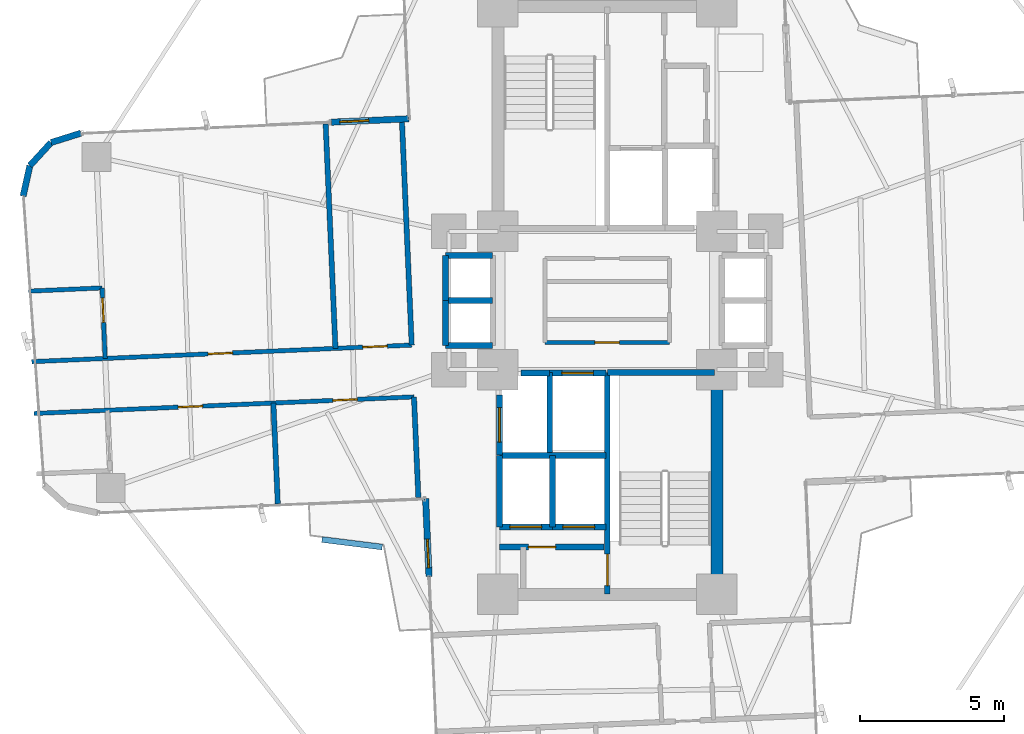
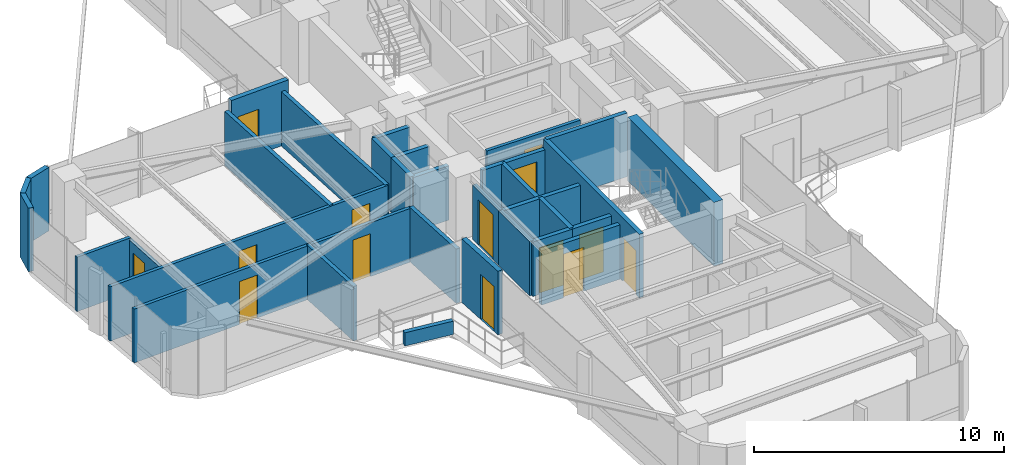
# One storey, part 23 of 26: 33 walls, 14 doors, 14 openings.
"""IFC4 building model written with IfcOpenShell, lengths in metres."""

from ifc_helpers import new_model, si_unit, direction, frame, frame_2d, origin, origin_2d, place, context, subcontext, project, spatial, rectangle, extrude, source, transform, mapped, material, layer, layer_set, type_object, element, fill, save


model = new_model("IFC4")

# Units and contexts
model_context = context("Model", 3, precision=1e-05, world=origin(), true_north=direction((0.0, 1.0)))
body_context = subcontext(model_context, "Body", "Model", "MODEL_VIEW")
ifc_project = project(units=[si_unit("LENGTHUNIT", "METRE"), si_unit("AREAUNIT", "SQUARE_METRE"), si_unit("VOLUMEUNIT", "CUBIC_METRE"), si_unit("PLANEANGLEUNIT", "RADIAN"), si_unit("MASSUNIT", "GRAM", prefix="KILO")], contexts=[model_context])

# Site, building, storey
site_placement = place(None, origin())
site = spatial("IfcSite", under=ifc_project, at=site_placement, CompositionType="ELEMENT")
building_placement = place(site_placement, origin())
building = spatial("IfcBuilding", under=site, at=building_placement, Name="Sahyath Konkavel Grand Hotel", CompositionType="ELEMENT")
storey_placement = place(building_placement, frame((0.0, 0.0, 100.25)))
storey = spatial("IfcBuildingStorey", under=building, at=storey_placement, Name="L27", CompositionType="ELEMENT", Elevation=100.25)

# Wall
ifc_material_1 = material(Name="Concrete C50/60", Category="concrete")
ifc_layer_1 = layer(ifc_material_1, 0.419921875)
ifc_layer_set_1 = layer_set([ifc_layer_1], Name="Concrete C50/60")
wall_type_1 = type_object("IfcWallType", Name="CWALL-420", PredefinedType="SHEAR", material=ifc_layer_set_1)
wall_1_placement = place(storey_placement, frame((3.800048828125, -9.75, 0.0), z_axis=(0.0, 0.0, 1.0), x_axis=(0.0, 1.0, 0.0)))
element("IfcWall", 1, at=wall_1_placement, inside=storey, type_object=wall_type_1, Name="L27 South Core Shear Wall E", PredefinedType="SHEAR", context=body_context, shape_type="SweptSolid", body=[
    extrude(rectangle(XDim=6.89990234375, YDim=0.419921875, at=frame_2d((3.449951171875, 0.0))), origin(), (0.0, 0.0, 1.0), 3.110107421875),
])

# Wall, opening, door
ifc_material_2 = material(Name="Warm Buff Sandstone Insulated Concrete C40/50", Category="masonry")
ifc_layer_2 = layer(ifc_material_2, 0.219970703125)
ifc_layer_set_2 = layer_set([ifc_layer_2], Name="Warm Buff Sandstone Insulated Concrete C40/50")
wall_type_2 = type_object("IfcWallType", Name="WLL-BALC-THRESH", PredefinedType="STANDARD", material=ifc_layer_set_2)
wall_2_placement = place(storey_placement, frame((-6.881591796875, 6.305908203125, 0.0), z_axis=(0.0, 0.0, 1.0), x_axis=(-0.999045894436, -0.043672655174, 0.0)))
wall_2 = element("IfcWall", 2, at=wall_2_placement, inside=storey, type_object=wall_type_2, Name="L27 Winter-Garden Threshold Wall 16", PredefinedType="STANDARD", context=body_context, shape_type="SweptSolid", body=[
    extrude(rectangle(XDim=2.7001953125, YDim=0.219970703125, at=frame_2d((1.35009765625, 0.0))), origin(), (0.0, 0.0, 1.0), 3.110107421875),
])
opening_1_placement = place(wall_2_placement, frame((1.39990234375, 0.0, 0.0)))
opening_1 = element("IfcOpeningElement", 3, at=opening_1_placement, cuts=wall_2, Name="Opening D-TR1", PredefinedType="OPENING", context=body_context, shape_type="SweptSolid", body=[
    extrude(rectangle(XDim=1.0, YDim=2.199951171875, at=frame_2d((0.5, 1.10009765625))), frame((0.0, 0.1201171875, 0.0), z_axis=(0.0, -1.0, 0.0), x_axis=(1.0, 0.0, 0.0)), (0.0, 0.0, 1.0), 0.239990234375),
])
ifc_material_3 = material(Name="Anodised Bronze Aluminium & Low-E Glazing", Category="aluminium")
door_type_1 = type_object("IfcDoorType", Name="DR-TERRACE-1000", OperationType="NOTDEFINED", PredefinedType="DOOR", material=ifc_material_3)
shared_shape_1 = source(origin(), body_context, "Body", "SweptSolid", [
    extrude(rectangle(XDim=1.0, YDim=0.050048828125, at=origin_2d()), origin(), (0.0, 0.0, 1.0), 2.199951171875),
])
door_1_placement = place(opening_1_placement, frame((0.5, 0.0, 0.0)))
door_1 = element("IfcDoor", 4, at=door_1_placement, inside=storey, type_object=door_type_1, Name="L27 Winter-Garden Terrace Door 16", OperationType="SINGLE_SWING_LEFT", OverallHeight=2.199951171875, OverallWidth=1.0, PredefinedType="DOOR", context=body_context, shape_type="MappedRepresentation", body=[
    mapped(shared_shape_1, transform((0.0, 0.0, 0.0), scale=1.0)),
])
fill(opening_1, door_1)

# Walls
for number, where, z_axis, x_axis, name in (
    (5, (-18.270751953125, 5.80859375, 0.0), (0.0, 0.0, 1.0), (-0.953721713582, -0.30069069331, 0.0), "L27 Rounded Corner Sandstone Pier 17"),
    (6, (-19.3076171875, 5.481689453125, 0.0), (0.0, 0.0, 1.0), (-0.675551721847, -0.737312600672, 0.0), "L27 Rounded Corner Sandstone Pier 18"),
):
    element("IfcWall", number, at=place(storey_placement, frame(where, z_axis=z_axis, x_axis=x_axis)), inside=storey, type_object=wall_type_2, Name=name, PredefinedType="STANDARD", context=body_context, shape_type="SweptSolid", body=[
        extrude(rectangle(XDim=1.087158203125, YDim=0.219970703125, at=frame_2d((0.54345703125, 0.0))), origin(), (0.0, 0.0, 1.0), 3.110107421875),
    ])
wall_3_placement = place(storey_placement, frame((-20.0419921875, 4.68017578125, 0.0), z_axis=(0.0, 0.0, 1.0), x_axis=(-0.216288323511, -0.976329535102, 0.0)))
element("IfcWall", 7, at=wall_3_placement, inside=storey, type_object=wall_type_2, Name="L27 Rounded Corner Sandstone Pier 19", PredefinedType="STANDARD", context=body_context, shape_type="SweptSolid", body=[
    extrude(rectangle(XDim=1.0869140625, YDim=0.219970703125, at=frame_2d((0.54345703125, 0.0))), origin(), (0.0, 0.0, 1.0), 3.110107421875),
])

# Wall, opening, door
wall_4_placement = place(storey_placement, frame((-6.305908203125, -6.881591796875, 0.0), z_axis=(0.0, 0.0, 1.0), x_axis=(0.043672655174, -0.999045894436, 0.0)))
wall_4 = element("IfcWall", 8, at=wall_4_placement, inside=storey, type_object=wall_type_2, Name="L27 Winter-Garden Threshold Wall 24", PredefinedType="STANDARD", context=body_context, shape_type="SweptSolid", body=[
    extrude(rectangle(XDim=2.7001953125, YDim=0.219970703125, at=frame_2d((1.35009765625, 0.0))), origin(), (0.0, 0.0, 1.0), 3.110107421875),
])
opening_2_placement = place(wall_4_placement, frame((1.39990234375, 0.0, 0.0)))
opening_2 = element("IfcOpeningElement", 9, at=opening_2_placement, cuts=wall_4, Name="Opening D-TR1", PredefinedType="OPENING", context=body_context, shape_type="SweptSolid", body=[
    extrude(rectangle(XDim=1.0, YDim=2.199951171875, at=frame_2d((0.5, 1.10009765625))), frame((0.0, 0.1201171875, 0.0), z_axis=(0.0, -1.0, 0.0), x_axis=(1.0, 0.0, 0.0)), (0.0, 0.0, 1.0), 0.239990234375),
])
door_2_placement = place(opening_2_placement, frame((0.5, 0.0, 0.0)))
door_2 = element("IfcDoor", 10, at=door_2_placement, inside=storey, type_object=door_type_1, Name="L27 Winter-Garden Terrace Door 24", OperationType="SINGLE_SWING_LEFT", OverallHeight=2.199951171875, OverallWidth=1.0, PredefinedType="DOOR", context=body_context, shape_type="MappedRepresentation", body=[
    mapped(shared_shape_1, transform((0.0, 0.0, 0.0), scale=1.0)),
])
fill(opening_2, door_2)

ifc_material_4 = material(Name="Concrete C40/50", Category="concrete")
ifc_layer_3 = layer(ifc_material_4, 0.199951171875)
ifc_layer_set_3 = layer_set([ifc_layer_3], Name="Concrete C40/50")
wall_type_3 = type_object("IfcWallType", Name="WLL-CORE-200", PredefinedType="SOLIDWALL", material=ifc_layer_set_3)
wall_5_placement = place(storey_placement, frame((0.0, -10.179931640625, 0.0), z_axis=(0.0, 0.0, 1.0), x_axis=(0.0, 1.0, 0.0)))
wall_5 = element("IfcWall", 11, at=wall_5_placement, inside=storey, type_object=wall_type_3, Name="L27 Stair ST-2 Shaft Wall W", PredefinedType="SOLIDWALL", context=body_context, shape_type="SweptSolid", body=[
    extrude(rectangle(XDim=7.679931640625, YDim=0.199951171875, at=frame_2d((3.83984375, 0.0))), origin(), (0.0, 0.0, 1.0), 3.110107421875),
])
opening_3_placement = place(wall_5_placement, frame((0.280029296875, 0.0, 0.0)))
opening_3 = element("IfcOpeningElement", 12, at=opening_3_placement, cuts=wall_5, Name="Opening D-F12B", PredefinedType="OPENING", context=body_context, shape_type="SweptSolid", body=[
    extrude(rectangle(XDim=1.10009765625, YDim=2.14990234375, at=frame_2d((0.550048828125, 1.074951171875))), frame((0.0, 0.10986328125, 0.0), z_axis=(0.0, -1.0, 0.0), x_axis=(1.0, 0.0, 0.0)), (0.0, 0.0, 1.0), 0.219970703125),
])
ifc_material_5 = material(Name="Steel E350 Smokeproof Fire Door", Category="steel")
door_type_2 = type_object("IfcDoorType", Name="DR-FD120-1100", OperationType="NOTDEFINED", PredefinedType="DOOR", material=ifc_material_5)
shared_shape_2 = source(origin(), body_context, "Body", "SweptSolid", [
    extrude(rectangle(XDim=1.10009765625, YDim=0.050048828125, at=origin_2d()), origin(), (0.0, 0.0, 1.0), 2.14990234375),
])
door_3_placement = place(opening_3_placement, frame((0.550048828125, 0.0, 0.0)))
door_3 = element("IfcDoor", 13, at=door_3_placement, inside=storey, type_object=door_type_2, Name="L27 Stair ST-2 Fire Door", OperationType="SINGLE_SWING_RIGHT", OverallHeight=2.14990234375, OverallWidth=1.10009765625, PredefinedType="DOOR", context=body_context, shape_type="MappedRepresentation", body=[
    mapped(shared_shape_2, transform((0.0, 0.0, 0.0), scale=1.0)),
])
fill(opening_3, door_3)

# Walls
wall_6_placement = place(storey_placement, frame((0.0, -2.5, 0.0), z_axis=(0.0, 0.0, 1.0), x_axis=(1.0, 0.0, 0.0)))
element("IfcWall", 14, at=wall_6_placement, inside=storey, type_object=wall_type_3, Name="L27 Stair ST-2 Shaft Wall N", PredefinedType="SOLIDWALL", context=body_context, shape_type="SweptSolid", body=[
    extrude(rectangle(XDim=3.719970703125, YDim=0.199951171875, at=frame_2d((1.85986328125, 0.0))), origin(), (0.0, 0.0, 1.0), 3.110107421875),
])
wall_7_placement = place(storey_placement, frame((-2.0, -5.280029296875, 0.0), z_axis=(0.0, 0.0, 1.0), x_axis=(0.0, 1.0, 0.0)))
element("IfcWall", 15, at=wall_7_placement, inside=storey, type_object=wall_type_3, Name="L27 Partition SH-FFL2-W", PredefinedType="SOLIDWALL", context=body_context, shape_type="SweptSolid", body=[
    extrude(rectangle(XDim=2.780029296875, YDim=0.199951171875, at=frame_2d((1.39013671875, 0.0))), origin(), (0.0, 0.0, 1.0), 2.659912109375),
])

# Wall, opening, door
wall_8_placement = place(storey_placement, frame((-2.0, -2.52001953125, 0.0), z_axis=(0.0, 0.0, 1.0), x_axis=(1.0, 0.0, 0.0)))
wall_8 = element("IfcWall", 16, at=wall_8_placement, inside=storey, type_object=wall_type_3, Name="L27 Partition SH-FFL2-N", PredefinedType="SOLIDWALL", context=body_context, shape_type="SweptSolid", body=[
    extrude(rectangle(XDim=1.949951171875, YDim=0.199951171875, at=frame_2d((0.97509765625, 0.0))), origin(), (0.0, 0.0, 1.0), 2.659912109375),
])
opening_4_placement = place(wall_8_placement, frame((0.419921875, 0.0, 0.0)))
opening_4 = element("IfcOpeningElement", 17, at=opening_4_placement, cuts=wall_8, Name="Opening LD-11", PredefinedType="OPENING", context=body_context, shape_type="SweptSolid", body=[
    extrude(rectangle(XDim=1.10009765625, YDim=2.199951171875, at=frame_2d((0.550048828125, 1.10009765625))), frame((0.0, 0.10986328125, 0.0), z_axis=(0.0, -1.0, 0.0), x_axis=(1.0, 0.0, 0.0)), (0.0, 0.0, 1.0), 0.219970703125),
])
ifc_material_6 = material(Name="Bronze Lift Landing Door 1100")
door_type_3 = type_object("IfcDoorType", Name="DR-LIFT-1100", OperationType="DOUBLE_DOOR_SLIDING", PredefinedType="DOOR", material=ifc_material_6)
shared_shape_3 = source(origin(), body_context, "Body", "SweptSolid", [
    extrude(rectangle(XDim=1.10009765625, YDim=0.050048828125, at=origin_2d()), origin(), (0.0, 0.0, 1.0), 2.199951171875),
])
door_4_placement = place(opening_4_placement, frame((0.550048828125, 0.0, 0.0)))
door_4 = element("IfcDoor", 18, at=door_4_placement, inside=storey, type_object=door_type_3, Name="L27 Lift FFL-2 Landing Door", OperationType="DOUBLE_DOOR_SLIDING", OverallHeight=2.199951171875, OverallWidth=1.10009765625, PredefinedType="DOOR", context=body_context, shape_type="MappedRepresentation", body=[
    mapped(shared_shape_3, transform((0.0, 0.0, 0.0), scale=1.0)),
])
fill(opening_4, door_4)

# Wall
wall_9_placement = place(storey_placement, frame((-3.0, -2.52001953125, 0.0), z_axis=(0.0, 0.0, 1.0), x_axis=(1.0, 0.0, 0.0)))
element("IfcWall", 19, at=wall_9_placement, inside=storey, type_object=wall_type_3, Name="L27 Partition SH-SVL2-N", PredefinedType="SOLIDWALL", context=body_context, shape_type="SweptSolid", body=[
    extrude(rectangle(XDim=1.0, YDim=0.199951171875, at=frame_2d((0.5, 0.0))), origin(), (0.0, 0.0, 1.0), 2.659912109375),
])

# Wall, opening, door
wall_10_placement = place(storey_placement, frame((-3.739990234375, -5.360107421875, 0.0), z_axis=(0.0, 0.0, 1.0), x_axis=(0.0, 1.0, 0.0)))
wall_10 = element("IfcWall", 20, at=wall_10_placement, inside=storey, type_object=wall_type_3, Name="L27 Partition SH-SVL2-W", PredefinedType="SOLIDWALL", context=body_context, shape_type="SweptSolid", body=[
    extrude(rectangle(XDim=2.080078125, YDim=0.199951171875, at=frame_2d((1.0400390625, 0.0))), origin(), (0.0, 0.0, 1.0), 2.659912109375),
])
opening_5_placement = place(wall_10_placement, frame((0.43994140625, 0.0, 0.0)))
opening_5 = element("IfcOpeningElement", 21, at=opening_5_placement, cuts=wall_10, Name="Opening LD-12", PredefinedType="OPENING", context=body_context, shape_type="SweptSolid", body=[
    extrude(rectangle(XDim=1.199951171875, YDim=2.199951171875, at=frame_2d((0.60009765625, 1.10009765625))), frame((0.0, 0.10986328125, 0.0), z_axis=(0.0, -1.0, 0.0), x_axis=(1.0, 0.0, 0.0)), (0.0, 0.0, 1.0), 0.219970703125),
])
ifc_material_7 = material(Name="Stainless Steel Lift Landing Door 1200", Category="steel")
door_type_4 = type_object("IfcDoorType", Name="DR-LIFT-1200", OperationType="DOUBLE_DOOR_SLIDING", PredefinedType="DOOR", material=ifc_material_7)
shared_shape_4 = source(origin(), body_context, "Body", "SweptSolid", [
    extrude(rectangle(XDim=1.199951171875, YDim=0.050048828125, at=origin_2d()), origin(), (0.0, 0.0, 1.0), 2.199951171875),
])
door_5_placement = place(opening_5_placement, frame((0.60009765625, 0.0, 0.0)))
door_5 = element("IfcDoor", 22, at=door_5_placement, inside=storey, type_object=door_type_4, Name="L27 Service Lift SVL-2 Landing Door", OperationType="DOUBLE_DOOR_SLIDING", OverallHeight=2.199951171875, OverallWidth=1.199951171875, PredefinedType="DOOR", context=body_context, shape_type="MappedRepresentation", body=[
    mapped(shared_shape_4, transform((0.0, 0.0, 0.0), scale=1.0)),
])
fill(opening_5, door_5)

# Wall
wall_11_placement = place(storey_placement, frame((-3.739990234375, -7.860107421875, 0.0), z_axis=(0.0, 0.0, 1.0), x_axis=(0.0, 1.0, 0.0)))
element("IfcWall", 23, at=wall_11_placement, inside=storey, type_object=wall_type_3, Name="L27 Partition SH-PL3-W", PredefinedType="SOLIDWALL", context=body_context, shape_type="SweptSolid", body=[
    extrude(rectangle(XDim=2.480224609375, YDim=0.199951171875, at=frame_2d((1.240234375, 0.0))), origin(), (0.0, 0.0, 1.0), 2.659912109375),
])

# Wall, opening, door
wall_12_placement = place(storey_placement, frame((-3.739990234375, -7.860107421875, 0.0), z_axis=(0.0, 0.0, 1.0), x_axis=(1.0, 0.0, 0.0)))
wall_12 = element("IfcWall", 24, at=wall_12_placement, inside=storey, type_object=wall_type_3, Name="L27 Partition SH-PL3-S", PredefinedType="SOLIDWALL", context=body_context, shape_type="SweptSolid", body=[
    extrude(rectangle(XDim=1.840087890625, YDim=0.199951171875, at=frame_2d((0.919921875, 0.0))), origin(), (0.0, 0.0, 1.0), 2.659912109375),
])
opening_6_placement = place(wall_12_placement, frame((0.360107421875, 0.0, 0.0)))
opening_6 = element("IfcOpeningElement", 25, at=opening_6_placement, cuts=wall_12, Name="Opening LD-11", PredefinedType="OPENING", context=body_context, shape_type="SweptSolid", body=[
    extrude(rectangle(XDim=1.10009765625, YDim=2.199951171875, at=frame_2d((0.550048828125, 1.10009765625))), frame((0.0, 0.10986328125, 0.0), z_axis=(0.0, -1.0, 0.0), x_axis=(1.0, 0.0, 0.0)), (0.0, 0.0, 1.0), 0.219970703125),
])
door_6_placement = place(opening_6_placement, frame((0.550048828125, 0.0, 0.0)))
door_6 = element("IfcDoor", 26, at=door_6_placement, inside=storey, type_object=door_type_3, Name="L27 Passenger Lift PL-3 Landing Door", OperationType="DOUBLE_DOOR_SLIDING", OverallHeight=2.199951171875, OverallWidth=1.10009765625, PredefinedType="DOOR", context=body_context, shape_type="MappedRepresentation", body=[
    mapped(shared_shape_3, transform((0.0, 0.0, 0.0), scale=1.0)),
])
fill(opening_6, door_6)

# Walls
wall_13_placement = place(storey_placement, frame((-3.739990234375, -5.3798828125, 0.0), z_axis=(0.0, 0.0, 1.0), x_axis=(1.0, 0.0, 0.0)))
element("IfcWall", 27, at=wall_13_placement, inside=storey, type_object=wall_type_3, Name="L27 Partition SH-PL34-N", PredefinedType="SOLIDWALL", context=body_context, shape_type="SweptSolid", body=[
    extrude(rectangle(XDim=3.68994140625, YDim=0.199951171875, at=frame_2d((1.844970703125, 0.0))), origin(), (0.0, 0.0, 1.0), 2.659912109375),
])
wall_14_placement = place(storey_placement, frame((-1.89990234375, -7.860107421875, 0.0), z_axis=(0.0, 0.0, 1.0), x_axis=(0.0, 1.0, 0.0)))
element("IfcWall", 28, at=wall_14_placement, inside=storey, type_object=wall_type_3, Name="L27 Partition SH-PL34-M", PredefinedType="SOLIDWALL", context=body_context, shape_type="SweptSolid", body=[
    extrude(rectangle(XDim=2.480224609375, YDim=0.199951171875, at=frame_2d((1.240234375, 0.0))), origin(), (0.0, 0.0, 1.0), 2.659912109375),
])

# Wall, opening, door
wall_15_placement = place(storey_placement, frame((-1.89990234375, -7.860107421875, 0.0), z_axis=(0.0, 0.0, 1.0), x_axis=(1.0, 0.0, 0.0)))
wall_15 = element("IfcWall", 29, at=wall_15_placement, inside=storey, type_object=wall_type_3, Name="L27 Partition SH-PL4-S", PredefinedType="SOLIDWALL", context=body_context, shape_type="SweptSolid", body=[
    extrude(rectangle(XDim=1.849853515625, YDim=0.199951171875, at=frame_2d((0.9248046875, 0.0))), origin(), (0.0, 0.0, 1.0), 2.659912109375),
])
opening_7_placement = place(wall_15_placement, frame((0.360107421875, 0.0, 0.0)))
opening_7 = element("IfcOpeningElement", 30, at=opening_7_placement, cuts=wall_15, Name="Opening LD-11", PredefinedType="OPENING", context=body_context, shape_type="SweptSolid", body=[
    extrude(rectangle(XDim=1.10009765625, YDim=2.199951171875, at=frame_2d((0.550048828125, 1.10009765625))), frame((0.0, 0.10986328125, 0.0), z_axis=(0.0, -1.0, 0.0), x_axis=(1.0, 0.0, 0.0)), (0.0, 0.0, 1.0), 0.219970703125),
])
door_7_placement = place(opening_7_placement, frame((0.550048828125, 0.0, 0.0)))
door_7 = element("IfcDoor", 31, at=door_7_placement, inside=storey, type_object=door_type_3, Name="L27 Passenger Lift PL-4 Landing Door", OperationType="DOUBLE_DOOR_SLIDING", OverallHeight=2.199951171875, OverallWidth=1.10009765625, PredefinedType="DOOR", context=body_context, shape_type="MappedRepresentation", body=[
    mapped(shared_shape_3, transform((0.0, 0.0, 0.0), scale=1.0)),
])
fill(opening_7, door_7)

# Walls
for number, where, z_axis, x_axis, name in (
    (32, (-5.6201171875, 1.56005859375, 0.0), (0.0, 0.0, 1.0), (1.0, 0.0, 0.0), "L27 Partition SH-SL12-N"),
    (33, (-5.6201171875, -1.56005859375, 0.0), (0.0, 0.0, 1.0), (1.0, 0.0, 0.0), "L27 Partition SH-SL12-S"),
    (34, (-5.6201171875, 0.0, 0.0), (0.0, 0.0, 1.0), (1.0, 0.0, 0.0), "L27 Partition SH-SL12-M"),
):
    element("IfcWall", number, at=place(storey_placement, frame(where, z_axis=z_axis, x_axis=x_axis)), inside=storey, type_object=wall_type_3, Name=name, PredefinedType="SOLIDWALL", context=body_context, shape_type="SweptSolid", body=[
        extrude(rectangle(XDim=1.64013671875, YDim=0.199951171875, at=frame_2d((0.820068359375, 0.0))), origin(), (0.0, 0.0, 1.0), 2.659912109375),
    ])
for number, where, z_axis, x_axis, name in (
    (35, (-5.6201171875, 0.0, 0.0), (0.0, 0.0, 1.0), (0.0, 1.0, 0.0), "L27 Partition SH-SL1-W"),
    (36, (-5.6201171875, -1.56005859375, 0.0), (0.0, 0.0, 1.0), (0.0, 1.0, 0.0), "L27 Partition SH-SL2-W"),
):
    element("IfcWall", number, at=place(storey_placement, frame(where, z_axis=z_axis, x_axis=x_axis)), inside=storey, type_object=wall_type_3, Name=name, PredefinedType="SOLIDWALL", context=body_context, shape_type="SweptSolid", body=[
        extrude(rectangle(XDim=1.56005859375, YDim=0.199951171875, at=frame_2d((0.780029296875, 0.0))), origin(), (0.0, 0.0, 1.0), 2.659912109375),
    ])

# Wall, opening, door
wall_16_placement = place(storey_placement, frame((-3.739990234375, -8.56005859375, 0.0), z_axis=(0.0, 0.0, 1.0), x_axis=(1.0, 0.0, 0.0)))
wall_16 = element("IfcWall", 37, at=wall_16_placement, inside=storey, type_object=wall_type_3, Name="L27 South FF Lobby Separation Wall", PredefinedType="SOLIDWALL", context=body_context, shape_type="SweptSolid", body=[
    extrude(rectangle(XDim=3.619873046875, YDim=0.199951171875, at=frame_2d((1.81005859375, 0.0))), origin(), (0.0, 0.0, 1.0), 2.659912109375),
])
opening_8_placement = place(wall_16_placement, frame((1.0, 0.0, 0.0)))
opening_8 = element("IfcOpeningElement", 38, at=opening_8_placement, cuts=wall_16, Name="Opening D-F12C", PredefinedType="OPENING", context=body_context, shape_type="SweptSolid", body=[
    extrude(rectangle(XDim=0.949951171875, YDim=2.14990234375, at=frame_2d((0.47509765625, 1.074951171875))), frame((0.0, 0.10986328125, 0.0), z_axis=(0.0, -1.0, 0.0), x_axis=(1.0, 0.0, 0.0)), (0.0, 0.0, 1.0), 0.219970703125),
])
ifc_material_8 = material(Name="Steel E350 Plant Fire Door", Category="steel")
door_type_5 = type_object("IfcDoorType", Name="DR-FD120-950", OperationType="NOTDEFINED", PredefinedType="DOOR", material=ifc_material_8)
shared_shape_5 = source(origin(), body_context, "Body", "SweptSolid", [
    extrude(rectangle(XDim=0.949951171875, YDim=0.050048828125, at=origin_2d()), origin(), (0.0, 0.0, 1.0), 2.14990234375),
])
door_8_placement = place(opening_8_placement, frame((0.47509765625, 0.0, 0.0)))
door_8 = element("IfcDoor", 39, at=door_8_placement, inside=storey, type_object=door_type_5, Name="L27 South Firefighting Lobby Door", OperationType="SINGLE_SWING_LEFT", OverallHeight=2.14990234375, OverallWidth=0.949951171875, PredefinedType="DOOR", context=body_context, shape_type="MappedRepresentation", body=[
    mapped(shared_shape_5, transform((0.0, 0.0, 0.0), scale=1.0)),
])
fill(opening_8, door_8)

# Walls
ifc_material_9 = material(Name="Twin-Stud Acoustic Gypsum Plasterboard Partition")
ifc_layer_4 = layer(ifc_material_9, 0.179931640625)
ifc_layer_set_4 = layer_set([ifc_layer_4], Name="Twin-Stud Acoustic Gypsum Plasterboard Partition")
wall_type_4 = type_object("IfcWallType", Name="WLL-DEMISE-180", PredefinedType="PARTITIONING", material=ifc_layer_set_4)
wall_17_placement = place(storey_placement, frame((-6.71044921875, -3.345947265625, 0.0), z_axis=(0.0, 0.0, 1.0), x_axis=(0.043597663116, -0.999049169846, 0.0)))
element("IfcWall", 40, at=wall_17_placement, inside=storey, type_object=wall_type_4, Name="L27 Partition W-INL", PredefinedType="PARTITIONING", context=body_context, shape_type="SweptSolid", body=[
    extrude(rectangle(XDim=3.5, YDim=0.179931640625, at=frame_2d((1.75, 0.0))), origin(), (0.0, 0.0, 1.0), 2.659912109375),
])
wall_18_placement = place(storey_placement, frame((-7.129150390625, 6.2451171875, 0.0), z_axis=(0.0, 0.0, 1.0), x_axis=(0.043600217373, -0.999049058378, 0.0)))
element("IfcWall", 41, at=wall_18_placement, inside=storey, type_object=wall_type_4, Name="L27 Partition W-INR", PredefinedType="PARTITIONING", context=body_context, shape_type="SweptSolid", body=[
    extrude(rectangle(XDim=7.800048828125, YDim=0.179931640625, at=frame_2d((3.89990234375, 0.0))), origin(), (0.0, 0.0, 1.0), 2.659912109375),
])
wall_19_placement = place(storey_placement, frame((-11.58984375, -3.558837890625, 0.0), z_axis=(0.0, 0.0, 1.0), x_axis=(0.04366424353, -0.99904626211, 0.0)))
element("IfcWall", 42, at=wall_19_placement, inside=storey, type_object=wall_type_4, Name="L27 Partition W-W1L-DEM", PredefinedType="PARTITIONING", context=body_context, shape_type="SweptSolid", body=[
    extrude(rectangle(XDim=3.500244140625, YDim=0.179931640625, at=frame_2d((1.75, 0.0))), origin(), (0.0, 0.0, 1.0), 2.659912109375),
])
wall_20_placement = place(storey_placement, frame((-9.436279296875, -1.6630859375, 0.0), z_axis=(0.0, 0.0, 1.0), x_axis=(-0.043632821702, 0.999047634936, 0.0)))
element("IfcWall", 43, at=wall_20_placement, inside=storey, type_object=wall_type_4, Name="L27 Partition W-WHK-DEM", PredefinedType="PARTITIONING", context=body_context, shape_type="SweptSolid", body=[
    extrude(rectangle(XDim=7.7998046875, YDim=0.179931640625, at=frame_2d((3.89990234375, 0.0))), origin(), (0.0, 0.0, 1.0), 2.659912109375),
])

# Wall, opening, door
ifc_material_10 = material(Name="Fire-Rated Gypsum Plasterboard Partition")
ifc_layer_5 = layer(ifc_material_10, 0.14990234375)
ifc_layer_set_5 = layer_set([ifc_layer_5], Name="Fire-Rated Gypsum Plasterboard Partition")
wall_type_5 = type_object("IfcWallType", Name="WLL-PART-150", PredefinedType="PARTITIONING", material=ifc_layer_set_5)
wall_21_placement = place(storey_placement, frame((-2.159912109375, -1.4599609375, 0.0), z_axis=(0.0, 0.0, 1.0), x_axis=(1.0, 0.0, 0.0)))
wall_21 = element("IfcWall", 44, at=wall_21_placement, inside=storey, type_object=wall_type_5, Name="L27 Partition CC-2S", PredefinedType="PARTITIONING", context=body_context, shape_type="SweptSolid", body=[
    extrude(rectangle(XDim=4.31982421875, YDim=0.14990234375, at=frame_2d((2.159912109375, 0.0))), origin(), (0.0, 0.0, 1.0), 2.659912109375),
])
opening_9_placement = place(wall_21_placement, frame((1.72998046875, 0.0, 0.0)))
opening_9 = element("IfcOpeningElement", 45, at=opening_9_placement, cuts=wall_21, Name="Opening D-F06D", PredefinedType="OPENING", context=body_context, shape_type="SweptSolid", body=[
    extrude(rectangle(XDim=0.85009765625, YDim=2.10009765625, at=frame_2d((0.425048828125, 1.050048828125))), frame((0.0, 0.0849609375, 0.0), z_axis=(0.0, -1.0, 0.0), x_axis=(1.0, 0.0, 0.0)), (0.0, 0.0, 1.0), 0.169921875),
])
ifc_material_11 = material(Name="Fire-Rated Shaft Access Door")
door_type_6 = type_object("IfcDoorType", Name="DR-FD60-850", OperationType="NOTDEFINED", PredefinedType="DOOR", material=ifc_material_11)
shared_shape_6 = source(origin(), body_context, "Body", "SweptSolid", [
    extrude(rectangle(XDim=0.85009765625, YDim=0.050048828125, at=origin_2d()), origin(), (0.0, 0.0, 1.0), 2.10009765625),
])
door_9_placement = place(opening_9_placement, frame((0.425048828125, 0.0, 0.0)))
door_9 = element("IfcDoor", 46, at=door_9_placement, inside=storey, type_object=door_type_6, Name="L27 Door CC-D2C", OperationType="SINGLE_SWING_LEFT", OverallHeight=2.10009765625, OverallWidth=0.85009765625, PredefinedType="DOOR", context=body_context, shape_type="MappedRepresentation", body=[
    mapped(shared_shape_6, transform((0.0, 0.0, 0.0), scale=1.0)),
])
fill(opening_9, door_9)

# Wall, openings, doors
wall_22_placement = place(storey_placement, frame((-6.71044921875, -3.345947265625, 0.0), z_axis=(0.0, 0.0, 1.0), x_axis=(-0.999048535483, -0.04361219725, 0.0)))
wall_22 = element("IfcWall", 47, at=wall_22_placement, inside=storey, type_object=wall_type_5, Name="L27 Partition W-CL", PredefinedType="PARTITIONING", context=body_context, shape_type="SweptSolid", body=[
    extrude(rectangle(XDim=13.199951171875, YDim=0.14990234375, at=frame_2d((6.60009765625, 0.0))), origin(), (0.0, 0.0, 1.0), 2.6298828125),
])
opening_10_placement = place(wall_22_placement, frame((1.967041015625, 0.0, 0.0)))
opening_10 = element("IfcOpeningElement", 48, at=opening_10_placement, cuts=wall_22, Name="Opening D-F06D", PredefinedType="OPENING", context=body_context, shape_type="SweptSolid", body=[
    extrude(rectangle(XDim=0.85009765625, YDim=2.10009765625, at=frame_2d((0.425048828125, 1.050048828125))), frame((0.0, 0.0849609375, 0.0), z_axis=(0.0, -1.0, 0.0), x_axis=(1.0, 0.0, 0.0)), (0.0, 0.0, 1.0), 0.169921875),
])
opening_11_placement = place(wall_22_placement, frame((7.342041015625, 0.0, 0.0)))
opening_11 = element("IfcOpeningElement", 49, at=opening_11_placement, cuts=wall_22, Name="Opening D-F06D", PredefinedType="OPENING", context=body_context, shape_type="SweptSolid", body=[
    extrude(rectangle(XDim=0.85009765625, YDim=2.10009765625, at=frame_2d((0.425048828125, 1.050048828125))), frame((0.0, 0.0849609375, 0.0), z_axis=(0.0, -1.0, 0.0), x_axis=(1.0, 0.0, 0.0)), (0.0, 0.0, 1.0), 0.169921875),
])
door_10_placement = place(opening_10_placement, frame((0.425048828125, 0.0, 0.0)))
door_10 = element("IfcDoor", 50, at=door_10_placement, inside=storey, type_object=door_type_6, Name="L27 Door W-W1L-D", OperationType="SINGLE_SWING_RIGHT", OverallHeight=2.10009765625, OverallWidth=0.85009765625, PredefinedType="DOOR", context=body_context, shape_type="MappedRepresentation", body=[
    mapped(shared_shape_6, transform((0.0, 0.0, 0.0), scale=1.0)),
])
fill(opening_10, door_10)
door_11_placement = place(opening_11_placement, frame((0.425048828125, 0.0, 0.0)))
door_11 = element("IfcDoor", 51, at=door_11_placement, inside=storey, type_object=door_type_6, Name="L27 Door W-W2L-ED", OperationType="SINGLE_SWING_RIGHT", OverallHeight=2.10009765625, OverallWidth=0.85009765625, PredefinedType="DOOR", context=body_context, shape_type="MappedRepresentation", body=[
    mapped(shared_shape_6, transform((0.0, 0.0, 0.0), scale=1.0)),
])
fill(opening_11, door_11)

wall_23_placement = place(storey_placement, frame((-6.7890625, -1.547607421875, 0.0), z_axis=(0.0, 0.0, 1.0), x_axis=(-0.999048500303, -0.043613003123, 0.0)))
wall_23 = element("IfcWall", 52, at=wall_23_placement, inside=storey, type_object=wall_type_5, Name="L27 Partition W-CR", PredefinedType="PARTITIONING", context=body_context, shape_type="SweptSolid", body=[
    extrude(rectangle(XDim=13.19970703125, YDim=0.14990234375, at=frame_2d((6.599853515625, 0.0))), origin(), (0.0, 0.0, 1.0), 2.659912109375),
])
opening_12_placement = place(wall_23_placement, frame((0.85009765625, 0.0, 0.0)))
opening_12 = element("IfcOpeningElement", 53, at=opening_12_placement, cuts=wall_23, Name="Opening D-F06D", PredefinedType="OPENING", context=body_context, shape_type="SweptSolid", body=[
    extrude(rectangle(XDim=0.85009765625, YDim=2.10009765625, at=frame_2d((0.425048828125, 1.050048828125))), frame((0.0, 0.0849609375, 0.0), z_axis=(0.0, -1.0, 0.0), x_axis=(1.0, 0.0, 0.0)), (0.0, 0.0, 1.0), 0.169921875),
])
opening_13_placement = place(wall_23_placement, frame((6.22509765625, 0.0, 0.0)))
opening_13 = element("IfcOpeningElement", 54, at=opening_13_placement, cuts=wall_23, Name="Opening D-F06D", PredefinedType="OPENING", context=body_context, shape_type="SweptSolid", body=[
    extrude(rectangle(XDim=0.85009765625, YDim=2.10009765625, at=frame_2d((0.425048828125, 1.050048828125))), frame((0.0, 0.0849609375, 0.0), z_axis=(0.0, -1.0, 0.0), x_axis=(1.0, 0.0, 0.0)), (0.0, 0.0, 1.0), 0.169921875),
])
door_12_placement = place(opening_12_placement, frame((0.425048828125, 0.0, 0.0)))
door_12 = element("IfcDoor", 55, at=door_12_placement, inside=storey, type_object=door_type_6, Name="L27 Door W-WHK-D", OperationType="SINGLE_SWING_LEFT", OverallHeight=2.10009765625, OverallWidth=0.85009765625, PredefinedType="DOOR", context=body_context, shape_type="MappedRepresentation", body=[
    mapped(shared_shape_6, transform((0.0, 0.0, 0.0), scale=1.0)),
])
fill(opening_12, door_12)
door_13_placement = place(opening_13_placement, frame((0.425048828125, 0.0, 0.0)))
door_13 = element("IfcDoor", 56, at=door_13_placement, inside=storey, type_object=door_type_6, Name="L27 Door W-W2R-ED", OperationType="SINGLE_SWING_LEFT", OverallHeight=2.10009765625, OverallWidth=0.85009765625, PredefinedType="DOOR", context=body_context, shape_type="MappedRepresentation", body=[
    mapped(shared_shape_6, transform((0.0, 0.0, 0.0), scale=1.0)),
])
fill(opening_13, door_13)

# Wall, opening, door
wall_24_placement = place(storey_placement, frame((-17.4287109375, -2.01220703125, 0.0), z_axis=(0.0, 0.0, 1.0), x_axis=(-0.043644787072, 0.999047112283, 0.0)))
wall_24 = element("IfcWall", 57, at=wall_24_placement, inside=storey, type_object=wall_type_5, Name="L27 Partition W-W2R-BS", PredefinedType="PARTITIONING", context=body_context, shape_type="SweptSolid", body=[
    extrude(rectangle(XDim=2.4501953125, YDim=0.14990234375, at=frame_2d((1.22509765625, 0.0))), origin(), (0.0, 0.0, 1.0), 2.580078125),
])
opening_14_placement = place(wall_24_placement, frame((1.25, 0.0, 0.0)))
opening_14 = element("IfcOpeningElement", 58, at=opening_14_placement, cuts=wall_24, Name="Opening D-BT85", PredefinedType="OPENING", context=body_context, shape_type="SweptSolid", body=[
    extrude(rectangle(XDim=0.85009765625, YDim=2.10009765625, at=frame_2d((0.425048828125, 1.050048828125))), frame((0.0, 0.0849609375, 0.0), z_axis=(0.0, -1.0, 0.0), x_axis=(1.0, 0.0, 0.0)), (0.0, 0.0, 1.0), 0.169921875),
])
ifc_material_12 = material(Name="Moisture-Resistant Teak Bathroom Door")
door_type_7 = type_object("IfcDoorType", Name="DR-BATH-850", OperationType="NOTDEFINED", PredefinedType="DOOR", material=ifc_material_12)
door_14_placement = place(opening_14_placement, frame((0.425048828125, 0.0, 0.0)))
door_14 = element("IfcDoor", 59, at=door_14_placement, inside=storey, type_object=door_type_7, Name="L27 Door W-W2R-BD", OperationType="SINGLE_SWING_RIGHT", OverallHeight=2.10009765625, OverallWidth=0.85009765625, PredefinedType="DOOR", context=body_context, shape_type="MappedRepresentation", body=[
    mapped(shared_shape_6, transform((0.0, 0.0, 0.0), scale=1.0)),
])
fill(opening_14, door_14)

# Walls
wall_25_placement = place(storey_placement, frame((-17.53564453125, 0.435546875, 0.0), z_axis=(0.0, 0.0, 1.0), x_axis=(-0.999046560091, -0.043657425146, 0.0)))
element("IfcWall", 60, at=wall_25_placement, inside=storey, type_object=wall_type_5, Name="L27 Partition W-W2R-BF", PredefinedType="PARTITIONING", context=body_context, shape_type="SweptSolid", body=[
    extrude(rectangle(XDim=2.550048828125, YDim=0.14990234375, at=frame_2d((1.27490234375, 0.0))), origin(), (0.0, 0.0, 1.0), 2.659912109375),
])
ifc_material_13 = material(Name="Warm Buff Sandstone Planter Wall", Category="masonry")
ifc_layer_6 = layer(ifc_material_13, 0.199951171875)
ifc_layer_set_6 = layer_set([ifc_layer_6], Name="Warm Buff Sandstone Planter Wall")
wall_type_6 = type_object("IfcWallType", Name="WLL-PLANTER-200", PredefinedType="PARAPET", material=ifc_layer_set_6)
wall_26_placement = place(storey_placement, frame((-9.902099609375, -8.296142578125, 0.0), z_axis=(0.0, 0.0, 1.0), x_axis=(0.992263589881, -0.124148975815, 0.0)))
element("IfcWall", 61, at=wall_26_placement, inside=storey, type_object=wall_type_6, Name="L27 Sky-Garden Stone Planter PLANTER SW", PredefinedType="PARAPET", context=body_context, shape_type="SweptSolid", body=[
    extrude(rectangle(XDim=2.104248046875, YDim=0.199951171875, at=frame_2d((1.05224609375, 0.0))), origin(), (0.0, 0.0, 1.0), 0.64990234375),
])

save(model, "model.ifc")
